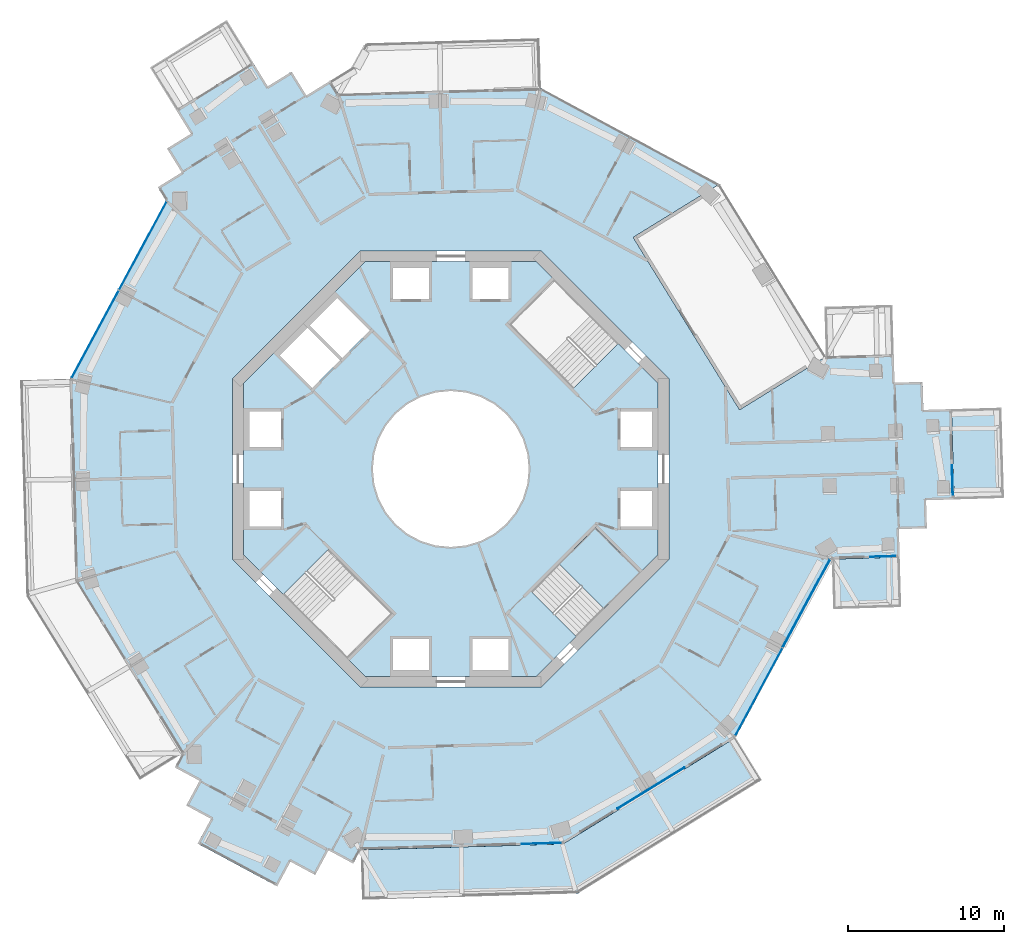
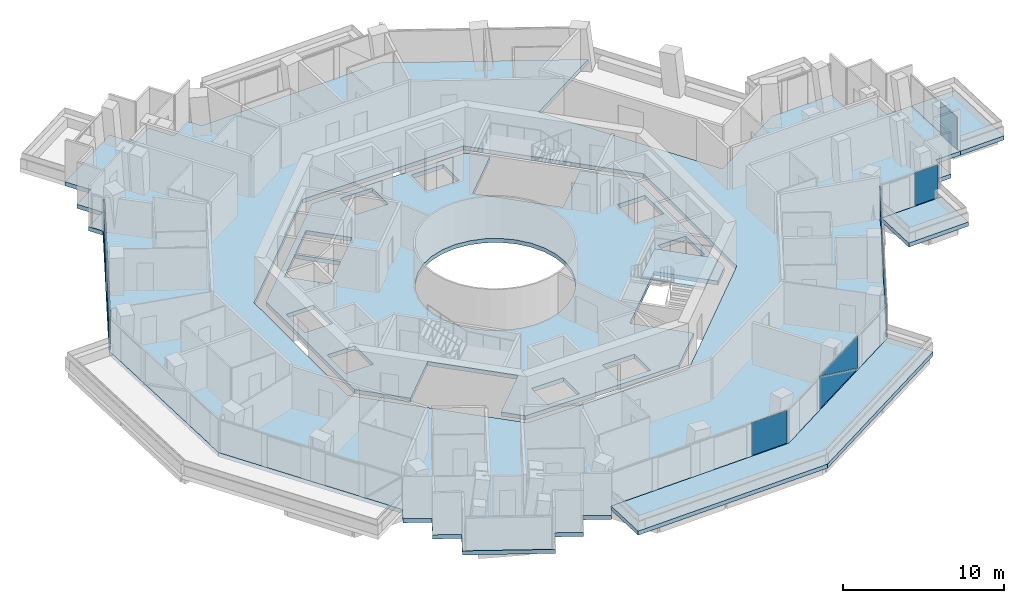
# One storey, part 11 of 22: 10 plates, 6 slabs, 7 elements without a shape of their own.
"""IFC4 building model written with IfcOpenShell, lengths in metres."""

from ifc_helpers import new_model, si_unit, direction, frame, origin, origin_2d, place, context, subcontext, project, spatial, polyline, rectangle, outline, extrude, material, layer, layer_set, type_object, element, aggregate, save


model = new_model("IFC4")

# Units and contexts
model_context = context("Model", 3, precision=1e-05, world=origin(), true_north=direction((0.0, 1.0)))
body_context = subcontext(model_context, "Body", "Model", "MODEL_VIEW")
ifc_project = project(units=[si_unit("LENGTHUNIT", "METRE"), si_unit("AREAUNIT", "SQUARE_METRE"), si_unit("VOLUMEUNIT", "CUBIC_METRE"), si_unit("PLANEANGLEUNIT", "RADIAN"), si_unit("MASSUNIT", "GRAM", prefix="KILO")], contexts=[model_context])

# Site, building, storey
site_placement = place(None, origin())
site = spatial("IfcSite", under=ifc_project, at=site_placement, CompositionType="ELEMENT")
building_placement = place(site_placement, origin())
building = spatial("IfcBuilding", under=site, at=building_placement, Name="Verdalira Terraces Hotel", CompositionType="ELEMENT")
storey_placement = place(building_placement, frame((0.0, 0.0, 162.0)))
storey = spatial("IfcBuildingStorey", under=building, at=storey_placement, Name="L39", CompositionType="ELEMENT", Elevation=162.0)

# Slabs
ifc_material_1 = material(Name="Precast concrete C40/50", Category="concrete")
ifc_layer_1 = layer(ifc_material_1, 0.31005859375)
ifc_layer_set_1 = layer_set([ifc_layer_1], Name="Balcony deck 310")
slab_type_1 = type_object("IfcSlabType", Name="Balcony deck 310", PredefinedType="FLOOR", material=ifc_layer_set_1)
slab_1_placement = place(storey_placement, frame((0.0, 0.0, -0.310059)))
element("IfcSlab", 1, at=slab_1_placement, inside=storey, type_object=slab_type_1, Name="Balcony deck", PredefinedType="FLOOR", context=body_context, shape_type="SweptSolid", body=[
    extrude(outline(polyline([(19.951904, -19.953369), (18.27124, -17.22998), (7.208496, -24.057373), (-5.786133, -24.438477), (-5.692139, -27.637207), (8.15918, -27.230713), (19.951904, -19.953369)])), origin(), (0.0, 0.0, 1.0), 0.310059),
])
slab_2_placement = place(storey_placement, frame((0.0, 0.0, -0.310059)))
element("IfcSlab", 2, at=slab_2_placement, inside=storey, type_object=slab_type_1, Name="Balcony deck", PredefinedType="FLOOR", context=body_context, shape_type="SweptSolid", body=[
    extrude(outline(polyline([(28.893555, -8.856689), (28.799805, -5.658203), (24.438477, -5.786133), (24.532227, -8.984619), (28.893555, -8.856689)])), origin(), (0.0, 0.0, 1.0), 0.310059),
])
slab_3_placement = place(storey_placement, frame((0.0, 0.0, -0.310059)))
element("IfcSlab", 3, at=slab_3_placement, inside=storey, type_object=slab_type_1, Name="Balcony deck", PredefinedType="FLOOR", context=body_context, shape_type="SweptSolid", body=[
    extrude(outline(polyline([(35.321289, 3.937256), (32.122559, 3.843506), (32.292725, -1.954102), (35.491211, -1.860352), (35.321289, 3.937256)])), origin(), (0.0, 0.0, 1.0), 0.310059),
])

# Curtain wall, plates
ifc_material_2 = material(Name="Clear glass", Category="glass")
ifc_layer_2 = layer(ifc_material_2, 0.14990234375)
ifc_layer_set_2 = layer_set([ifc_layer_2], Name="CW1 curtain wall")
curtain_wall_type_1 = type_object("IfcCurtainWallType", Name="CW1 curtain wall", PredefinedType="NOTDEFINED", material=ifc_layer_set_2)
curtain_wall_1_placement = place(storey_placement, origin())
curtain_wall_1 = element("IfcCurtainWall", 4, at=curtain_wall_1_placement, inside=storey, type_object=curtain_wall_type_1, Name="CW1 curtain wall L39 edge 11", PredefinedType="NOTDEFINED")
ifc_material_3 = material(Name="Clear glass", Category="glass")
ifc_layer_3 = layer(ifc_material_3, 0.028076171875)
ifc_layer_set_3 = layer_set([ifc_layer_3], Name="CW1 glass unit 28")
plate_type_1 = type_object("IfcPlateType", Name="CW1 glass unit 28", PredefinedType="CURTAIN_PANEL", material=ifc_layer_set_3)
plate_1_placement = place(storey_placement, frame((-19.75415, 14.320312, 0.0), z_axis=(0.0, 0.0, 1.0), x_axis=(-0.474395525, -0.880311812, 0.0)))
plate_1 = element("IfcPlate", 5, at=plate_1_placement, type_object=plate_type_1, Name="CW1 glass unit", PredefinedType="CURTAIN_PANEL", context=body_context, shape_type="SweptSolid", body=[
    extrude(rectangle(XDim=6.409912, YDim=0.028076, at=origin_2d()), origin(), (0.0, 0.0, 1.0), 2.475098),
])
plate_2_placement = place(storey_placement, frame((-22.813965, 8.642334, 0.0), z_axis=(0.0, 0.0, 1.0), x_axis=(-0.474395525, -0.880311812, 0.0)))
plate_2 = element("IfcPlate", 6, at=plate_2_placement, type_object=plate_type_1, Name="CW1 glass unit", PredefinedType="CURTAIN_PANEL", context=body_context, shape_type="SweptSolid", body=[
    extrude(rectangle(XDim=6.369873, YDim=0.028076, at=origin_2d()), origin(), (0.0, 0.0, 1.0), 2.475098),
])
aggregate(curtain_wall_1, [plate_1, plate_2])

# Curtain wall, plate
curtain_wall_2_placement = place(storey_placement, origin())
curtain_wall_2 = element("IfcCurtainWall", 7, at=curtain_wall_2_placement, inside=storey, type_object=curtain_wall_type_1, Name="CW1 curtain wall L39 edge 25", PredefinedType="NOTDEFINED")
plate_3_placement = place(storey_placement, frame((5.824463, -24.022949, 0.0), z_axis=(0.0, 0.0, 1.0), x_axis=(0.999570155, 0.02931733, 0.0)))
plate_3 = element("IfcPlate", 8, at=plate_3_placement, type_object=plate_type_1, Name="CW1 glass unit", PredefinedType="CURTAIN_PANEL", context=body_context, shape_type="SweptSolid", body=[
    extrude(rectangle(XDim=2.564209, YDim=0.028076, at=origin_2d()), origin(), (0.0, 0.0, 1.0), 2.475098),
])
aggregate(curtain_wall_2, [plate_3])

# Curtain wall, plates
curtain_wall_3_placement = place(storey_placement, origin())
curtain_wall_3 = element("IfcCurtainWall", 9, at=curtain_wall_3_placement, inside=storey, type_object=curtain_wall_type_1, Name="CW1 curtain wall L39 edge 26", PredefinedType="NOTDEFINED")
plate_4_placement = place(storey_placement, frame((12.845215, -20.474121, 1.237549), z_axis=(0.52517463, -0.850994482, 0.0), x_axis=(0.850994482, 0.52517463, 0.0)))
plate_4 = element("IfcPlate", 10, at=plate_4_placement, type_object=plate_type_1, Name="CW1 glass unit", PredefinedType="CURTAIN_PANEL", context=body_context, shape_type="SweptSolid", body=[
    extrude(outline(polyline([(-2.510742, -1.237549), (2.510742, -1.237549), (-2.510742, 1.237549), (-2.510742, -1.237549)])), origin(), (0.0, 0.0, 1.0), 0.028076),
])
plate_5_placement = place(storey_placement, frame((12.829834, -20.449463, 1.237549), z_axis=(0.52517463, -0.850994482, 0.0), x_axis=(0.850994482, 0.52517463, 0.0)))
plate_5 = element("IfcPlate", 11, at=plate_5_placement, type_object=plate_type_1, Name="CW1 glass unit", PredefinedType="CURTAIN_PANEL", context=body_context, shape_type="SweptSolid", body=[
    extrude(outline(polyline([(2.510742, -1.237549), (2.510742, 1.237549), (-2.510742, 1.237549), (2.510742, -1.237549)])), origin(), (0.0, 0.0, 1.0), 0.028076),
])
aggregate(curtain_wall_3, [plate_4, plate_5])

curtain_wall_4_placement = place(storey_placement, origin())
curtain_wall_4 = element("IfcCurtainWall", 12, at=curtain_wall_4_placement, inside=storey, type_object=curtain_wall_type_1, Name="CW1 curtain wall L39 edge 27", PredefinedType="NOTDEFINED")
plate_6_placement = place(storey_placement, frame((19.763672, -14.30249, 0.0), z_axis=(0.0, 0.0, 1.0), x_axis=(0.474395525, 0.880311812, 0.0)))
plate_6 = element("IfcPlate", 13, at=plate_6_placement, type_object=plate_type_1, Name="CW1 glass unit", PredefinedType="CURTAIN_PANEL", context=body_context, shape_type="SweptSolid", body=[
    extrude(rectangle(XDim=6.369873, YDim=0.028076, at=origin_2d()), origin(), (0.0, 0.0, 1.0), 2.475098),
])
plate_7_placement = place(storey_placement, frame((22.811035, -8.618164, 1.237549), z_axis=(0.880311812, -0.474395525, 0.0), x_axis=(0.474395525, 0.880311812, 0.0)))
plate_7 = element("IfcPlate", 14, at=plate_7_placement, type_object=plate_type_1, Name="CW1 glass unit", PredefinedType="CURTAIN_PANEL", context=body_context, shape_type="SweptSolid", body=[
    extrude(outline(polyline([(-3.205078, -1.237549), (3.205078, -1.237549), (-3.205078, 1.237549), (-3.205078, -1.237549)])), origin(), (0.0, 0.0, 1.0), 0.028076),
])
plate_8_placement = place(storey_placement, frame((22.785645, -8.604248, 1.237549), z_axis=(0.880311812, -0.474395525, 0.0), x_axis=(0.474395525, 0.880311812, 0.0)))
plate_8 = element("IfcPlate", 15, at=plate_8_placement, type_object=plate_type_1, Name="CW1 glass unit", PredefinedType="CURTAIN_PANEL", context=body_context, shape_type="SweptSolid", body=[
    extrude(outline(polyline([(3.205078, -1.237549), (3.205078, 1.237549), (-3.205078, 1.237549), (3.205078, -1.237549)])), origin(), (0.0, 0.0, 1.0), 0.028076),
])
aggregate(curtain_wall_4, [plate_6, plate_7, plate_8])

# Curtain wall, plate
ifc_material_4 = material(Name="Clear glass", Category="glass")
ifc_layer_4 = layer(ifc_material_4, 0.14990234375)
ifc_layer_set_4 = layer_set([ifc_layer_4], Name="CW2 curtain wall")
curtain_wall_type_2 = type_object("IfcCurtainWallType", Name="CW2 curtain wall", PredefinedType="NOTDEFINED", material=ifc_layer_set_4)
curtain_wall_5_placement = place(storey_placement, origin())
curtain_wall_5 = element("IfcCurtainWall", 16, at=curtain_wall_5_placement, inside=storey, type_object=curtain_wall_type_2, Name="CW2 curtain wall L39 edge 28", PredefinedType="NOTDEFINED")
ifc_material_5 = material(Name="Clear glass", Category="glass")
ifc_layer_5 = layer(ifc_material_5, 0.031982421875)
ifc_layer_set_5 = layer_set([ifc_layer_5], Name="CW2 glass unit 32")
plate_type_2 = type_object("IfcPlateType", Name="CW2 glass unit 32", PredefinedType="CURTAIN_PANEL", material=ifc_layer_set_5)
plate_9_placement = place(storey_placement, frame((27.738281, -5.614258, 0.0), z_axis=(0.0, 0.0, 1.0), x_axis=(0.999570155, 0.02931733, 0.0)))
plate_9 = element("IfcPlate", 17, at=plate_9_placement, type_object=plate_type_2, Name="CW2 glass unit", PredefinedType="CURTAIN_PANEL", context=body_context, shape_type="SweptSolid", body=[
    extrude(rectangle(XDim=1.679443, YDim=0.031982, at=origin_2d()), origin(), (0.0, 0.0, 1.0), 2.475098),
])
aggregate(curtain_wall_5, [plate_9])

ifc_material_6 = material(Name="Clear glass", Category="glass")
ifc_layer_6 = layer(ifc_material_6, 0.14990234375)
ifc_layer_set_6 = layer_set([ifc_layer_6], Name="CW3 curtain wall")
curtain_wall_type_3 = type_object("IfcCurtainWallType", Name="CW3 curtain wall", PredefinedType="NOTDEFINED", material=ifc_layer_set_6)
curtain_wall_6_placement = place(storey_placement, origin())
curtain_wall_6 = element("IfcCurtainWall", 18, at=curtain_wall_6_placement, inside=storey, type_object=curtain_wall_type_3, Name="CW3 curtain wall L39 edge 33", PredefinedType="NOTDEFINED")
ifc_material_7 = material(Name="Clear glass", Category="glass")
ifc_layer_7 = layer(ifc_material_7, 0.035888671875)
ifc_layer_set_7 = layer_set([ifc_layer_7], Name="CW3 glass unit 36")
plate_type_3 = type_object("IfcPlateType", Name="CW3 glass unit 36", PredefinedType="CURTAIN_PANEL", material=ifc_layer_set_7)
plate_10_placement = place(storey_placement, frame((32.181885, -0.736816, 0.0), z_axis=(0.0, 0.0, 1.0), x_axis=(-0.02931733, 0.999570155, 0.0)))
plate_10 = element("IfcPlate", 19, at=plate_10_placement, type_object=plate_type_3, Name="CW3 glass unit", PredefinedType="CURTAIN_PANEL", context=body_context, shape_type="SweptSolid", body=[
    extrude(rectangle(XDim=1.97998, YDim=0.035889, at=origin_2d()), origin(), (0.0, 0.0, 1.0), 2.475098),
])
aggregate(curtain_wall_6, [plate_10])

# Slab
ifc_material_8 = material(Name="Concrete C40", Category="concrete")
ifc_layer_8 = layer(ifc_material_8, 0.31005859375)
ifc_layer_set_8 = layer_set([ifc_layer_8], Name="Core floor slab 310 mm")
slab_type_2 = type_object("IfcSlabType", Name="Core floor slab 310 mm", PredefinedType="FLOOR", material=ifc_layer_set_8)
slab_4_placement = place(storey_placement, frame((0.0, 0.0, -0.310059)))
element("IfcSlab", 20, at=slab_4_placement, inside=storey, type_object=slab_type_2, Name="L39 core floor", PredefinedType="FLOOR", context=body_context, shape_type="SweptSolid", body=[
    extrude(outline(polyline([(-5.509033, 13.300049), (5.509033, 13.300049), (6.632812, 12.176514), (3.719482, 9.263184), (7.834473, 5.148193), (10.747803, 8.061279), (13.300049, 5.509033), (13.300049, -5.509033), (12.176514, -6.632812), (9.263184, -3.719482), (5.148193, -7.834473), (8.061279, -10.747803), (5.509033, -13.300049), (-5.509033, -13.300049), (-6.632812, -12.176514), (-3.719482, -9.263184), (-7.834473, -5.148193), (-10.747803, -8.061279), (-13.300049, -5.509033), (-13.300049, 5.509033), (-5.509033, 13.300049)]), holes=[polyline([(12.899902, -3.699951), (12.899902, -1.399902), (10.899902, -1.399902), (10.899902, -3.699951), (12.899902, -3.699951)]), polyline([(12.899902, 1.399902), (12.899902, 3.699951), (10.899902, 3.699951), (10.899902, 1.399902), (12.899902, 1.399902)]), polyline([(1.399902, 10.899902), (3.699951, 10.899902), (3.699951, 12.899902), (1.399902, 12.899902), (1.399902, 10.899902)]), polyline([(-3.699951, 10.899902), (-1.399902, 10.899902), (-1.399902, 12.899902), (-3.699951, 12.899902), (-3.699951, 10.899902)]), polyline([(-12.899902, 3.699951), (-12.899902, 1.399902), (-10.899902, 1.399902), (-10.899902, 3.699951), (-12.899902, 3.699951)]), polyline([(-12.899902, -1.399902), (-12.899902, -3.699951), (-10.899902, -3.699951), (-10.899902, -1.399902), (-12.899902, -1.399902)]), polyline([(-1.399902, -10.899902), (-3.699951, -10.899902), (-3.699951, -12.899902), (-1.399902, -12.899902), (-1.399902, -10.899902)]), polyline([(3.699951, -10.899902), (1.399902, -10.899902), (1.399902, -12.899902), (3.699951, -12.899902), (3.699951, -10.899902)]), polyline([(-9.051025, 9.192383), (-6.965088, 7.106445), (-5.197266, 8.874268), (-7.283203, 10.960205), (-9.051025, 9.192383)]), polyline([(-9.192383, 9.051025), (-10.960205, 7.283203), (-8.874268, 5.197266), (-7.106445, 6.965088), (-9.192383, 9.051025)]), polyline([(3.5354, 3.5354), (2.777832, 4.157227), (1.91333, 4.619385), (0.975586, 4.903809), (0.0, 5.0), (-0.975586, 4.903809), (-1.91333, 4.619385), (-2.777832, 4.157227), (-3.5354, 3.5354), (-4.157227, 2.777832), (-4.619385, 1.91333), (-4.903809, 0.975586), (-5.0, 0.0), (-4.903809, -0.975586), (-4.619385, -1.91333), (-4.157227, -2.777832), (-3.5354, -3.5354), (-2.777832, -4.157227), (-1.91333, -4.619385), (-0.975586, -4.903809), (0.0, -5.0), (0.975586, -4.903809), (1.91333, -4.619385), (2.777832, -4.157227), (3.5354, -3.5354), (4.157227, -2.777832), (4.619385, -1.91333), (4.903809, -0.975586), (5.0, 0.0), (4.903809, 0.975586), (4.619385, 1.91333), (4.157227, 2.777832), (3.5354, 3.5354)])]), origin(), (0.0, 0.0, 1.0), 0.310059),
])

# Stair, slab
ifc_material_9 = material(Name="Concrete C40", Category="concrete")
stair_type = type_object("IfcStairType", Name="Core stair 20 risers 2000 mm wide", PredefinedType="HALF_TURN_STAIR", material=ifc_material_9)
stair_placement = place(storey_placement, origin())
stair = element("IfcStair", 21, at=stair_placement, inside=storey, type_object=stair_type, Name="L39 Exit stair ST3", PredefinedType="HALF_TURN_STAIR")
ifc_material_10 = material(Name="Concrete C40", Category="concrete")
ifc_layer_9 = layer(ifc_material_10, 0.199951171875)
ifc_layer_set_9 = layer_set([ifc_layer_9], Name="Core stair landing 200 mm")
slab_type_3 = type_object("IfcSlabType", Name="Core stair landing 200 mm", PredefinedType="LANDING", material=ifc_layer_set_9)
slab_5_placement = place(storey_placement, frame((0.0, 0.0, 1.550049)))
slab_5 = element("IfcSlab", 22, at=slab_5_placement, type_object=slab_type_3, Name="ST3 landing 1", PredefinedType="LANDING", context=body_context, shape_type="SweptSolid", body=[
    extrude(outline(polyline([(9.842529, -8.966553), (12.162354, -6.646729), (9.263184, -3.747559), (6.943359, -6.067383), (9.842529, -8.966553)])), origin(), (0.0, 0.0, 1.0), 0.199951),
])
aggregate(stair, [slab_5])

# Slab
ifc_material_11 = material(Name="Concrete C40", Category="concrete")
ifc_layer_10 = layer(ifc_material_11, 0.31005859375)
ifc_layer_set_10 = layer_set([ifc_layer_10], Name="Floor slab 310 C40")
slab_type_4 = type_object("IfcSlabType", Name="Floor slab 310 C40", PredefinedType="FLOOR", material=ifc_layer_set_10)
slab_6_placement = place(storey_placement, frame((0.0, 0.0, -0.310059)))
element("IfcSlab", 23, at=slab_6_placement, inside=storey, type_object=slab_type_4, Name="Floor slab L39", PredefinedType="FLOOR", context=body_context, shape_type="SweptSolid", body=[
    extrude(outline(polyline([(28.471436, 5.537109), (28.418701, 7.336182), (24.057861, 7.208496), (24.058105, 7.208252), (18.525635, 3.794189), (11.697998, 14.85791), (17.229492, 18.271484), (5.785889, 24.438477), (-7.208496, 24.057373), (-7.733643, 24.908203), (-9.265381, 23.962891), (-10.210693, 25.494873), (-11.742432, 24.549561), (-12.687744, 26.081299), (-17.623535, 23.0354), (-16.678223, 21.503418), (-18.209961, 20.558105), (-17.264648, 19.026367), (-18.796387, 18.081055), (-18.27124, 17.22998), (-24.438477, 5.785889), (-24.057373, -7.208496), (-17.22998, -18.27124), (-17.70459, -19.151611), (-16.119873, -20.005615), (-16.973877, -21.590088), (-15.389404, -22.444092), (-16.243164, -24.028564), (-11.137451, -26.780029), (-10.283447, -25.195557), (-8.698975, -26.049316), (-7.844971, -24.464844), (-6.260498, -25.318848), (-5.785889, -24.438477), (7.208496, -24.057373), (18.27124, -17.22998), (24.438477, -5.785889), (28.799805, -5.658203), (28.74707, -3.858887), (30.546143, -3.806152), (30.493408, -2.006836), (32.292725, -1.954102), (32.122559, 3.843506), (30.323486, 3.790527), (30.270508, 5.589844), (28.471436, 5.537109)]), holes=[polyline([(5.799072, 14.0), (14.0, 5.799072), (14.0, -5.799072), (5.799072, -14.0), (-5.799072, -14.0), (-14.0, -5.799072), (-14.0, 5.799072), (-5.799072, 14.0), (5.799072, 14.0)])]), origin(), (0.0, 0.0, 1.0), 0.310059),
])

save(model, "model.ifc")
